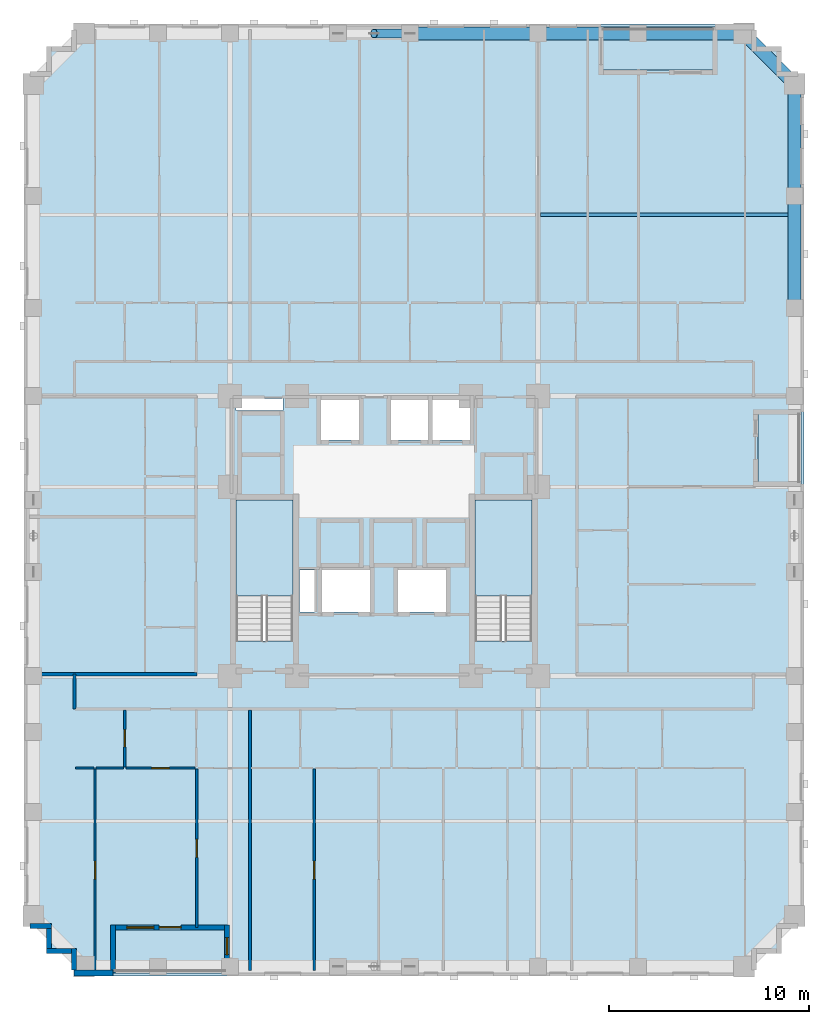
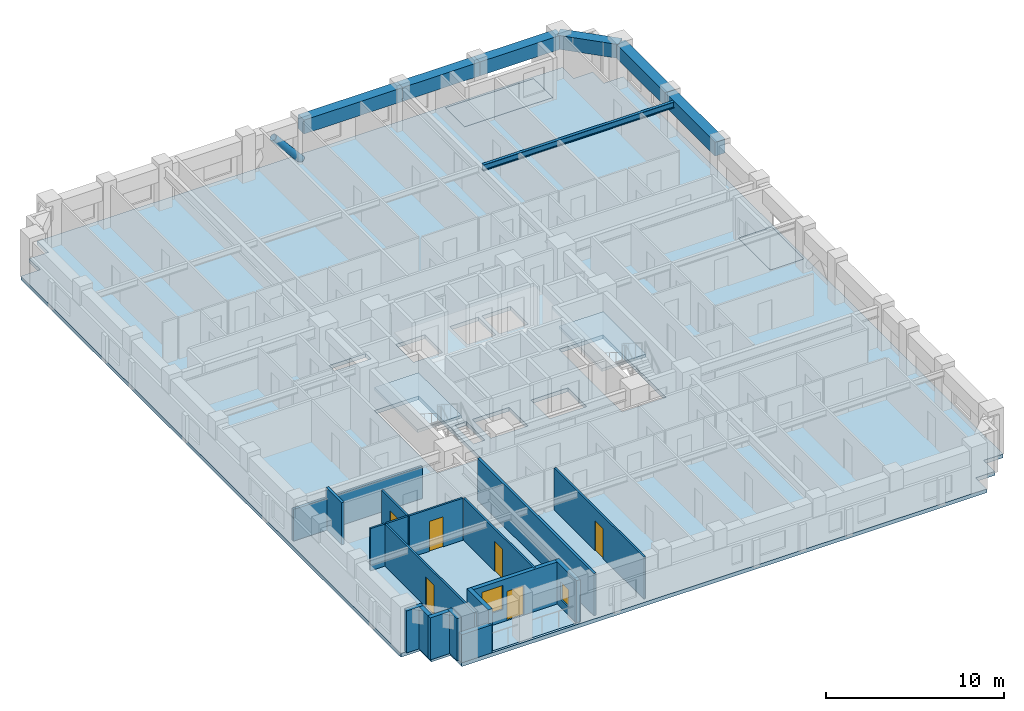
# One storey, part 2 of 14: 18 walls, 7 beams, 6 doors, 6 slabs, 2 windows, 1 member, 8 openings, 2 elements without a shape of their own.
"""IFC4 building model written with IfcOpenShell, lengths in metres."""

import ifcopenshell
import ifcopenshell.guid

model = None  # the IFC model being written
_history = None  # IfcOwnerHistory: only IFC2X3 demands one
_inside = {}  # id of a spatial element -> (the spatial element, [elements in it])
_under = {}  # id of a project, library or spatial element -> (it, [spatial elements below it])
_declared = {}  # id of a project -> (the project, [libraries it declares])
_typed = {}  # id of a type object -> (the type object, [elements of that type])
_made_of = {}  # id of a material, layer set ... -> (it, [elements and type objects made of it])


def new_model(schema):
    """Start an empty IFC model of exactly this schema.

    Asked for "IFC4X3", IfcOpenShell would pick the latest addendum, in which some entities
    have other attributes; the version numbers below select the first issue.
    IFC2X3 requires an IfcOwnerHistory on every rooted entity: one is made here for all.
    """
    global model, _history
    if schema == "IFC4X3":
        model = ifcopenshell.file(schema_version=(4, 3, 0, 0))
    else:
        model = ifcopenshell.file(schema=schema)
    _inside.clear()
    _under.clear()
    _declared.clear()
    _typed.clear()
    _made_of.clear()
    _history = None
    if model.schema == "IFC2X3":
        org = make("IfcOrganization", Name="unknown")
        user = make(
            "IfcPersonAndOrganization",
            ThePerson=make("IfcPerson", FamilyName="unknown"),
            TheOrganization=org,
        )
        app = make(
            "IfcApplication",
            ApplicationDeveloper=org,
            Version="unknown",
            ApplicationFullName="unknown",
            ApplicationIdentifier="unknown",
        )
        _history = make(
            "IfcOwnerHistory",
            OwningUser=user,
            OwningApplication=app,
            ChangeAction="ADDED",
            CreationDate=0,
        )
    return model


def make(cls, **values):
    """One entity of the class cls with the attributes given. An attribute that is None is left unset."""
    return model.create_entity(
        cls, **{name: value for name, value in values.items() if value is not None}
    )


def rooted(cls, **values):
    """An entity with a GlobalId (a new one), such as an element, a storey or a relation."""
    return make(cls, GlobalId=ifcopenshell.guid.new(), OwnerHistory=_history, **values)


def si_unit(unit_type, name, prefix=None):
    """IfcSIUnit, for example si_unit("LENGTHUNIT", "METRE", prefix="MILLI")."""
    return make("IfcSIUnit", UnitType=unit_type, Prefix=prefix, Name=name)


def derived_unit(unit_type, elements):
    """IfcDerivedUnit: a product of units, each with its exponent."""
    return make(
        "IfcDerivedUnit",
        Elements=[
            make("IfcDerivedUnitElement", Unit=unit, Exponent=power)
            for unit, power in elements
        ],
        UnitType=unit_type,
    )


def assignment(units):
    """IfcUnitAssignment: the units of a project."""
    return None if units is None else make("IfcUnitAssignment", Units=units)


def point(xyz):
    """IfcCartesianPoint."""
    return None if xyz is None else make("IfcCartesianPoint", Coordinates=xyz)


def direction(xyz):
    """IfcDirection."""
    return None if xyz is None else make("IfcDirection", DirectionRatios=xyz)


def frame(location, z_axis=None, x_axis=None):
    """IfcAxis2Placement3D, a coordinate frame: its origin and axes. An axis left out is left unset."""
    return make(
        "IfcAxis2Placement3D",
        Location=point(location),
        Axis=direction(z_axis),
        RefDirection=direction(x_axis),
    )


def frame_2d(location, x_axis=None):
    """IfcAxis2Placement2D, a coordinate frame in the plane: its origin and x axis."""
    return make(
        "IfcAxis2Placement2D", Location=point(location), RefDirection=direction(x_axis)
    )


def origin():
    """The frame at (0, 0, 0) with its axes left unset."""
    return frame((0.0, 0.0, 0.0))


def origin_2d():
    """The frame at (0, 0) in the plane with its x axis left unset."""
    return frame_2d((0.0, 0.0))


def place(relative_to, where):
    """IfcLocalPlacement: puts the frame where relative to a parent placement (None: the world)."""
    return make(
        "IfcLocalPlacement", PlacementRelTo=relative_to, RelativePlacement=where
    )


def context(
    kind, dimensions, precision=None, world=None, true_north=None, identifier=None
):
    """IfcGeometricRepresentationContext, for example the 3D "Model" context."""
    return make(
        "IfcGeometricRepresentationContext",
        ContextIdentifier=identifier,
        ContextType=kind,
        CoordinateSpaceDimension=dimensions,
        Precision=precision,
        WorldCoordinateSystem=world,
        TrueNorth=true_north,
    )


def subcontext(parent, identifier, kind, view, scale=None):
    """IfcGeometricRepresentationSubContext, for example "Body" below "Model"."""
    return make(
        "IfcGeometricRepresentationSubContext",
        ContextIdentifier=identifier,
        ContextType=kind,
        ParentContext=parent,
        TargetScale=scale,
        TargetView=view,
    )


def project(units=None, contexts=None):
    """IfcProject with its units and contexts."""
    return rooted(
        "IfcProject",
        Name="project",
        RepresentationContexts=contexts,
        UnitsInContext=assignment(units),
    )


def spatial(cls, under=None, at=None, **own):
    """A site, building, storey or space (cls), placed at a placement, below another one or the project."""
    s = rooted(cls, ObjectPlacement=at, **own)
    if under is not None:
        _under.setdefault(under.id(), (under, []))[1].append(s)
    return s


def polyline(points):
    """IfcPolyline through the points."""
    return make("IfcPolyline", Points=[point(p) for p in points])


def profile(cls, at=None, kind="AREA", **sizes):
    """A parametric profile (cls). Its sizes go by their IFC names, for example OverallWidth=200.0."""
    return make(cls, ProfileType=kind, Position=at, **sizes)


def rectangle(**sizes):
    """IfcRectangleProfileDef."""
    return profile("IfcRectangleProfileDef", **sizes)


def hollow_circle(**sizes):
    """IfcCircleHollowProfileDef."""
    return profile("IfcCircleHollowProfileDef", **sizes)


def i_section(**sizes):
    """IfcIShapeProfileDef."""
    return profile("IfcIShapeProfileDef", **sizes)


def outline(outer, holes=None, kind="AREA"):
    """IfcArbitraryClosedProfileDef: a profile drawn as a closed curve; with holes, ...WithVoids."""
    if holes is None:
        return make("IfcArbitraryClosedProfileDef", ProfileType=kind, OuterCurve=outer)
    return make(
        "IfcArbitraryProfileDefWithVoids",
        ProfileType=kind,
        OuterCurve=outer,
        InnerCurves=holes,
    )


def extrude(swept, where, along, depth):
    """IfcExtrudedAreaSolid: the profile swept, set in the frame where, extruded along a direction by depth."""
    return make(
        "IfcExtrudedAreaSolid",
        SweptArea=swept,
        Position=where,
        ExtrudedDirection=direction(along),
        Depth=depth,
    )


def shape(context_of_items, identifier, shape_type, items):
    """IfcShapeRepresentation: the items that make up one representation, for example the "Body"."""
    return make(
        "IfcShapeRepresentation",
        ContextOfItems=context_of_items,
        RepresentationIdentifier=identifier,
        RepresentationType=shape_type,
        Items=items,
    )


def material(Name=None, Category=None):
    """IfcMaterial."""
    return make("IfcMaterial", Name=Name, Category=Category)


def layer(
    of_material, thickness, ventilated=None, Name=None, Category=None, Priority=None
):
    """IfcMaterialLayer: one layer of a wall or slab, of a material (None: an air gap)."""
    return make(
        "IfcMaterialLayer",
        Material=of_material,
        LayerThickness=thickness,
        IsVentilated=ventilated,
        Name=Name,
        Category=Category,
        Priority=Priority,
    )


def layer_set(layers, Name=None):
    """IfcMaterialLayerSet."""
    return make("IfcMaterialLayerSet", MaterialLayers=layers, LayerSetName=Name)


def material_profile(
    of_material, cross_section, Name=None, Category=None, Priority=None
):
    """IfcMaterialProfile: a cross section and its material."""
    return make(
        "IfcMaterialProfile",
        Name=Name,
        Material=of_material,
        Profile=cross_section,
        Priority=Priority,
        Category=Category,
    )


def profile_set(profiles, Name=None, composite=None):
    """IfcMaterialProfileSet."""
    return make(
        "IfcMaterialProfileSet",
        Name=Name,
        MaterialProfiles=profiles,
        CompositeProfile=composite,
    )


def made_of(thing, what):
    """Note that an element or type object is made of a material, layer set ...; save() writes the relation."""
    if what is not None:
        _made_of.setdefault(what.id(), (what, []))[1].append(thing)
    return thing


def type_object(cls, material=None, **own):
    """A type object (cls), such as IfcWallType, which elements share."""
    return made_of(rooted(cls, **own), material)


def element(
    cls,
    number,
    at=None,
    inside=None,
    cuts=None,
    type_object=None,
    material=None,
    context=None,
    identifier="Body",
    shape_type=None,
    held_by="IfcProductDefinitionShape",
    body=None,
    shapes=None,
    **own,
):
    """One element of the class cls, such as IfcWall. Its Tag is "e" and its number.

    at: its placement. inside: the storey or other place that contains it. cuts: it is an
    opening in that element (IfcRelVoidsElement). A single representation is given by context,
    identifier, shape_type and body (its items); several are given by shapes. held_by: the class
    of the entity that holds the representations. save() writes the other relations.
    """
    e = rooted(cls, Tag="e%d" % number, ObjectPlacement=at, **own)
    if body is not None:
        shapes = [shape(context, identifier, shape_type, body)]
    if shapes is not None:
        e.Representation = make(held_by, Representations=shapes)
    if inside is not None:
        _inside.setdefault(inside.id(), (inside, []))[1].append(e)
    if cuts is not None:
        rooted(
            "IfcRelVoidsElement", RelatingBuildingElement=cuts, RelatedOpeningElement=e
        )
    if type_object is not None:
        _typed.setdefault(type_object.id(), (type_object, []))[1].append(e)
    return made_of(e, material)


def fill(opening, filler):
    """IfcRelFillsElement: the door or window that sits in an opening."""
    return rooted(
        "IfcRelFillsElement",
        RelatingOpeningElement=opening,
        RelatedBuildingElement=filler,
    )


def aggregate(whole, parts):
    """IfcRelAggregates: a whole, such as a stair, and the parts it consists of."""
    return rooted("IfcRelAggregates", RelatingObject=whole, RelatedObjects=parts)


def save(model, path):
    """Write the relations noted so far, then the file.

    IfcRelAggregates (storeys below a building ...), IfcRelContainedInSpatialStructure (elements
    in a storey), IfcRelDefinesByType, IfcRelAssociatesMaterial and IfcRelDeclares: one each for
    every whole, place, type object, material and project.
    """
    for whole, parts in _under.values():
        aggregate(whole, parts)
    for where, things in _inside.values():
        rooted(
            "IfcRelContainedInSpatialStructure",
            RelatedElements=things,
            RelatingStructure=where,
        )
    for kind, things in _typed.values():
        rooted("IfcRelDefinesByType", RelatedObjects=things, RelatingType=kind)
    for what, things in _made_of.values():
        rooted("IfcRelAssociatesMaterial", RelatedObjects=things, RelatingMaterial=what)
    for by, libraries in _declared.values():
        rooted("IfcRelDeclares", RelatingContext=by, RelatedDefinitions=libraries)
    model.write(path)


model = new_model("IFC4")

# Units and contexts
model_context = context("Model", 3, precision=1e-05, world=origin(), true_north=direction((0.0, 1.0)))
body_context = subcontext(model_context, "Body", "Model", "MODEL_VIEW")
ifc_project = project(units=[si_unit("LENGTHUNIT", "METRE"), si_unit("AREAUNIT", "SQUARE_METRE"), si_unit("VOLUMEUNIT", "CUBIC_METRE"), si_unit("PLANEANGLEUNIT", "RADIAN"), si_unit("MASSUNIT", "GRAM", prefix="KILO"), derived_unit("THERMALTRANSMITTANCEUNIT", [(si_unit("MASSUNIT", "GRAM", prefix="KILO"), 1), (si_unit("TIMEUNIT", "SECOND"), -3), (si_unit("THERMODYNAMICTEMPERATUREUNIT", "KELVIN"), -1)])], contexts=[model_context])

# Site, building, storey
site_placement = place(None, origin())
site = spatial("IfcSite", under=ifc_project, at=site_placement, CompositionType="ELEMENT")
building_placement = place(site_placement, origin())
building = spatial("IfcBuilding", under=site, at=building_placement, Name="Korrvale Station Residences", CompositionType="ELEMENT")
storey_placement = place(building_placement, frame((0.0, 0.0, 67.39990234375)))
storey = spatial("IfcBuildingStorey", under=building, at=storey_placement, Name="L18", CompositionType="ELEMENT", Elevation=67.39990234375)

# Beams
ifc_material_1 = material(Name="Steel S355", Category="steel")
ifc_material_profile_1 = material_profile(ifc_material_1, i_section(OverallWidth=0.180908203125, OverallDepth=0.4169921875, WebThickness=0.010986328125, FlangeThickness=0.018310546875, FilletRadius=0.01611328125, at=origin_2d()), Name="W410x85")
ifc_profile_set_1 = profile_set([ifc_material_profile_1], Name="Steel S355")
beam_type_1 = type_object("IfcBeamType", Name="BM-JST-W410x85-S355", PredefinedType="JOIST", material=ifc_profile_set_1)
beam_1_placement = place(storey_placement, frame((33.327880859375, 38.06005859375, 2.671630859375), z_axis=(1.0, 0.0, 0.0), x_axis=(0.0, 1.0, 0.0)))
element("IfcBeam", 1, at=beam_1_placement, inside=storey, type_object=beam_type_1, Name="L18 Floor Framing Joist 06", PredefinedType="JOIST", context=body_context, shape_type="SweptSolid", body=[
    extrude(i_section(OverallWidth=0.180908203125, OverallDepth=0.4169921875, WebThickness=0.010986328125, FlangeThickness=0.018310546875, FilletRadius=0.01611328125, at=origin_2d()), origin(), (0.0, 0.0, 1.0), 12.3671875),
])
ifc_material_2 = material(Name="Concrete C70/85", Category="concrete")
ifc_material_profile_2 = material_profile(ifc_material_2, rectangle(XDim=0.64990234375, YDim=0.949951171875, at=origin_2d()), Name="RCB650x950")
ifc_profile_set_2 = profile_set([ifc_material_profile_2], Name="Concrete C70/85")
beam_type_2 = type_object("IfcBeamType", Name="BM-SPB-RCB650x950-C7085", PredefinedType="SPANDREL", material=ifc_profile_set_2)
beam_2_placement = place(storey_placement, frame((26.800048828125, 47.1201171875, 2.405029296875), z_axis=(1.0, 0.0, 0.0), x_axis=(0.0, 1.0, 0.0)))
element("IfcBeam", 2, at=beam_2_placement, inside=storey, type_object=beam_type_2, Name="L18 North Tube Spandrel 12", PredefinedType="SPANDREL", context=body_context, shape_type="SweptSolid", body=[
    extrude(rectangle(XDim=0.64990234375, YDim=0.949951171875, at=origin_2d()), origin(), (0.0, 0.0, 1.0), 6.39990234375),
])
beam_3_placement = place(storey_placement, frame((33.199951171875, 47.1201171875, 2.405029296875), z_axis=(1.0, 0.0, 0.0), x_axis=(0.0, 1.0, 0.0)))
element("IfcBeam", 3, at=beam_3_placement, inside=storey, type_object=beam_type_2, Name="L18 North Tube Spandrel 13", PredefinedType="SPANDREL", context=body_context, shape_type="SweptSolid", body=[
    extrude(rectangle(XDim=0.64990234375, YDim=0.949951171875, at=origin_2d()), origin(), (0.0, 0.0, 1.0), 5.0),
])
beam_4_placement = place(storey_placement, frame((38.199951171875, 47.1201171875, 2.405029296875), z_axis=(1.0, 0.0, 0.0), x_axis=(0.0, 1.0, 0.0)))
element("IfcBeam", 4, at=beam_4_placement, inside=storey, type_object=beam_type_2, Name="L18 North Tube Spandrel 14", PredefinedType="SPANDREL", context=body_context, shape_type="SweptSolid", body=[
    extrude(rectangle(XDim=0.64990234375, YDim=0.949951171875, at=origin_2d()), origin(), (0.0, 0.0, 1.0), 5.300048828125),
])
for number, where, z_axis, x_axis, name in (
    (5, (46.02001953125, 33.39990234375, 2.405029296875), (0.0, 1.0, 0.0), (-1.0, 0.0, 0.0), "L18 East Tube Spandrel 31"),
    (6, (46.02001953125, 39.0, 2.405029296875), (0.0, 1.0, 0.0), (-1.0, 0.0, 0.0), "L18 East Tube Spandrel 32"),
):
    element("IfcBeam", number, at=place(storey_placement, frame(where, z_axis=z_axis, x_axis=x_axis)), inside=storey, type_object=beam_type_2, Name=name, PredefinedType="SPANDREL", context=body_context, shape_type="SweptSolid", body=[
        extrude(rectangle(XDim=0.64990234375, YDim=0.949951171875, at=origin_2d()), origin(), (0.0, 0.0, 1.0), 5.60009765625),
    ])
beam_5_placement = place(storey_placement, frame((43.5, 47.1201171875, 2.405029296875), z_axis=(0.707106781187, -0.707106781187, 0.0), x_axis=(0.707106781187, 0.707106781187, 0.0)))
element("IfcBeam", 7, at=beam_5_placement, inside=storey, type_object=beam_type_2, Name="L18 Serrated Corner Spandrel 35", PredefinedType="SPANDREL", context=body_context, shape_type="SweptSolid", body=[
    extrude(rectangle(XDim=0.64990234375, YDim=0.949951171875, at=origin_2d()), origin(), (0.0, 0.0, 1.0), 3.56396484375),
])

# Member
ifc_material_profile_3 = material_profile(ifc_material_1, hollow_circle(Radius=0.228515625, WallThickness=0.01904296875, at=origin_2d()), Name="HSS457x19")
ifc_profile_set_3 = profile_set([ifc_material_profile_3], Name="Steel S355")
member_type = type_object("IfcMemberType", Name="MBR-BR-HSS457x19", PredefinedType="BRACE", material=ifc_profile_set_3)
member_placement = place(storey_placement, frame((26.800048828125, 47.1201171875, 0.02001953125), z_axis=(-0.645447644234, 0.0, 0.763804515929), x_axis=(0.0, -1.0, 0.0)))
element("IfcMember", 8, at=member_placement, inside=storey, type_object=member_type, Name="L18 N Perimeter Tube Wind Brace 2", PredefinedType="BRACE", context=body_context, shape_type="SweptSolid", body=[
    extrude(hollow_circle(Radius=0.228515625, WallThickness=0.01904296875, at=origin_2d()), origin(), (0.0, 0.0, 1.0), 2.788818359375),
])

# Slabs
ifc_material_3 = material(Name="Concrete C50/60", Category="concrete")
ifc_layer_1 = layer(ifc_material_3, 0.219970703125, Name="Concrete C50/60")
ifc_layer_set_1 = layer_set([ifc_layer_1], Name="Concrete C50/60")
slab_type_1 = type_object("IfcSlabType", Name="SLB-BAL-220", PredefinedType="FLOOR", material=ifc_layer_set_1)
slab_1_placement = place(storey_placement, frame((0.0, 0.0, -0.219970703125)))
element("IfcSlab", 9, at=slab_1_placement, inside=storey, type_object=slab_type_1, Name="L18 Recessed Loggia Balcony Slab BAL-L18-S1", PredefinedType="FLOOR", context=body_context, shape_type="SweptSolid", body=[
    extrude(outline(polyline([(11.949951171875, 0.14990234375), (17.64990234375, 0.14990234375), (17.64990234375, 2.300048828125), (11.949951171875, 2.300048828125), (11.949951171875, 0.14990234375)])), origin(), (0.0, 0.0, 1.0), 0.219970703125),
])
slab_2_placement = place(storey_placement, frame((0.0, 0.0, -0.219970703125)))
element("IfcSlab", 10, at=slab_2_placement, inside=storey, type_object=slab_type_1, Name="L18 Recessed Loggia Balcony Slab BAL-L18-N1", PredefinedType="FLOOR", context=body_context, shape_type="SweptSolid", body=[
    extrude(outline(polyline([(36.35009765625, 45.300048828125), (42.050048828125, 45.300048828125), (42.050048828125, 47.449951171875), (36.35009765625, 47.449951171875), (36.35009765625, 45.300048828125)])), origin(), (0.0, 0.0, 1.0), 0.219970703125),
])
slab_3_placement = place(storey_placement, frame((0.0, 0.0, -0.219970703125)))
element("IfcSlab", 11, at=slab_3_placement, inside=storey, type_object=slab_type_1, Name="L18 Recessed Loggia Balcony Slab BAL-L18-E1", PredefinedType="FLOOR", context=body_context, shape_type="SweptSolid", body=[
    extrude(outline(polyline([(44.199951171875, 24.60009765625), (46.35009765625, 24.60009765625), (46.35009765625, 28.199951171875), (44.199951171875, 28.199951171875), (44.199951171875, 24.60009765625)])), origin(), (0.0, 0.0, 1.0), 0.219970703125),
])
ifc_layer_2 = layer(ifc_material_3, 0.260009765625, Name="Concrete C50/60")
ifc_layer_set_2 = layer_set([ifc_layer_2], Name="Concrete C50/60")
slab_type_2 = type_object("IfcSlabType", Name="SLB-FLR-260", PredefinedType="FLOOR", material=ifc_layer_set_2)
slab_4_placement = place(storey_placement, frame((0.0, 0.0, -0.260009765625)))
element("IfcSlab", 12, at=slab_4_placement, inside=storey, type_object=slab_type_2, Name="L18 Suspended Structural Floor Slab", PredefinedType="FLOOR", context=body_context, shape_type="SweptSolid", body=[
    extrude(outline(polyline([(10.0, 0.0), (44.0, 0.0), (44.0, 1.25), (45.25, 1.25), (45.25, 2.5), (46.5, 2.5), (46.5, 45.10009765625), (45.25, 45.10009765625), (45.25, 46.35009765625), (44.0, 46.35009765625), (44.0, 47.60009765625), (10.0, 47.60009765625), (10.0, 46.35009765625), (8.75, 46.35009765625), (8.75, 45.10009765625), (7.5, 45.10009765625), (7.5, 2.5), (8.75, 2.5), (8.75, 1.25), (10.0, 1.25), (10.0, 0.0)]), holes=[polyline([(20.949951171875, 16.751953125), (20.949951171875, 23.800048828125), (18.10009765625, 23.800048828125), (18.10009765625, 16.751953125), (20.949951171875, 16.751953125)]), polyline([(32.89990234375, 16.751953125), (32.89990234375, 23.800048828125), (30.050048828125, 23.800048828125), (30.050048828125, 16.751953125), (32.89990234375, 16.751953125)]), polyline([(22.35009765625, 26.800048828125), (24.25, 26.800048828125), (24.25, 28.800048828125), (22.35009765625, 28.800048828125), (22.35009765625, 26.800048828125)]), polyline([(25.85009765625, 26.800048828125), (27.7099609375, 26.800048828125), (27.7099609375, 28.800048828125), (25.85009765625, 28.800048828125), (25.85009765625, 26.800048828125)]), polyline([(27.929931640625, 26.800048828125), (29.7900390625, 26.800048828125), (29.7900390625, 28.800048828125), (27.929931640625, 28.800048828125), (27.929931640625, 26.800048828125)]), polyline([(22.39990234375, 18.199951171875), (24.800048828125, 18.199951171875), (24.800048828125, 20.300048828125), (22.39990234375, 20.300048828125), (22.39990234375, 18.199951171875)]), polyline([(26.199951171875, 18.199951171875), (28.60009765625, 18.199951171875), (28.60009765625, 20.300048828125), (26.199951171875, 20.300048828125), (26.199951171875, 18.199951171875)]), polyline([(18.10009765625, 28.280029296875), (20.449951171875, 28.280029296875), (20.449951171875, 28.8798828125), (18.10009765625, 28.8798828125), (18.10009765625, 28.280029296875)]), polyline([(21.280029296875, 18.199951171875), (22.02001953125, 18.199951171875), (22.02001953125, 20.300048828125), (21.280029296875, 20.300048828125), (21.280029296875, 18.199951171875)]), polyline([(11.949951171875, 0.14990234375), (17.64990234375, 0.14990234375), (17.64990234375, 2.300048828125), (11.949951171875, 2.300048828125), (11.949951171875, 0.14990234375)]), polyline([(36.35009765625, 45.300048828125), (42.050048828125, 45.300048828125), (42.050048828125, 47.449951171875), (36.35009765625, 47.449951171875), (36.35009765625, 45.300048828125)]), polyline([(44.199951171875, 24.60009765625), (46.35009765625, 24.60009765625), (46.35009765625, 28.199951171875), (44.199951171875, 28.199951171875), (44.199951171875, 24.60009765625)])]), origin(), (0.0, 0.0, 1.0), 0.260009765625),
])

# Stair, slab
stair_type = type_object("IfcStairType", Name="STR-DL-1350-18R-1778", PredefinedType="HALF_TURN_STAIR", material=ifc_material_3)
stair_1_placement = place(storey_placement, origin())
stair_1 = element("IfcStair", 13, at=stair_1_placement, inside=storey, type_object=stair_type, Name="L18 Exit Stair 1", PredefinedType="HALF_TURN_STAIR")
ifc_layer_3 = layer(ifc_material_3, 0.199951171875, Name="Concrete C50/60")
ifc_layer_set_3 = layer_set([ifc_layer_3], Name="Concrete C50/60")
slab_type_3 = type_object("IfcSlabType", Name="SLB-LND-200", PredefinedType="LANDING", material=ifc_layer_set_3)
slab_5_placement = place(storey_placement, frame((0.0, 0.0, 1.400146484375)))
slab_5 = element("IfcSlab", 14, at=slab_5_placement, type_object=slab_type_3, Name="ST-1 landing 1", PredefinedType="LANDING", context=body_context, shape_type="SweptSolid", body=[
    extrude(outline(polyline([(20.949951171875, 18.989990234375), (20.949951171875, 23.800048828125), (18.10009765625, 23.800048828125), (18.10009765625, 18.989990234375), (20.949951171875, 18.989990234375)])), origin(), (0.0, 0.0, 1.0), 0.199951171875),
])
aggregate(stair_1, [slab_5])

stair_2_placement = place(storey_placement, origin())
stair_2 = element("IfcStair", 15, at=stair_2_placement, inside=storey, type_object=stair_type, Name="L18 Exit Stair 2", PredefinedType="HALF_TURN_STAIR")
slab_6_placement = place(storey_placement, frame((0.0, 0.0, 1.400146484375)))
slab_6 = element("IfcSlab", 16, at=slab_6_placement, type_object=slab_type_3, Name="ST-2 landing 1", PredefinedType="LANDING", context=body_context, shape_type="SweptSolid", body=[
    extrude(outline(polyline([(32.89990234375, 18.989990234375), (32.89990234375, 23.800048828125), (30.050048828125, 23.800048828125), (30.050048828125, 18.989990234375), (32.89990234375, 18.989990234375)])), origin(), (0.0, 0.0, 1.0), 0.199951171875),
])
aggregate(stair_2, [slab_6])

# Wall, opening, window
ifc_material_4 = material(Name="Precast concrete C45/55", Category="concrete")
ifc_layer_4 = layer(ifc_material_4, 0.260009765625, Name="Precast concrete C45/55")
ifc_layer_set_4 = layer_set([ifc_layer_4], Name="Precast concrete C45/55")
wall_type_1 = type_object("IfcWallType", Name="WAL-EXT-LOG260", PredefinedType="SOLIDWALL", material=ifc_layer_set_4)
wall_1_placement = place(storey_placement, frame((17.64990234375, 0.159912109375, 0.0), z_axis=(0.0, 0.0, 1.0), x_axis=(0.0, 1.0, 0.0)))
wall_1 = element("IfcWall", 17, at=wall_1_placement, inside=storey, type_object=wall_type_1, Name="L18 Recessed Loggia Wall BAL-L18-S1-L", PredefinedType="SOLIDWALL", context=body_context, shape_type="SweptSolid", body=[
    extrude(rectangle(XDim=2.400146484375, YDim=0.260009765625, at=frame_2d((1.2001953125, 0.0))), origin(), (0.0, 0.0, 1.0), 2.880126953125),
])
opening_1_placement = place(wall_1_placement, frame((0.905029296875, 0.0, 0.550048828125)))
opening_1 = element("IfcOpeningElement", 18, at=opening_1_placement, cuts=wall_1, Name="Opening W-11", PredefinedType="OPENING", context=body_context, shape_type="SweptSolid", body=[
    extrude(rectangle(XDim=0.85009765625, YDim=1.199951171875, at=frame_2d((0.425048828125, 0.60009765625))), frame((0.0, 0.14013671875, 0.0), z_axis=(0.0, -1.0, 0.0), x_axis=(1.0, 0.0, 0.0)), (0.0, 0.0, 1.0), 0.280029296875),
])
ifc_material_5 = material(Name="Thermally broken aluminium frame with triple low-e glazing", Category="aluminium")
window_type_1 = type_object("IfcWindowType", Name="WIN-W11", PartitioningType="SINGLE_PANEL", PredefinedType="WINDOW", material=ifc_material_5)
window_1_placement = place(opening_1_placement, origin())
window_1 = element("IfcWindow", 19, at=window_1_placement, inside=storey, type_object=window_type_1, Name="L18 Punched Window 04", OverallHeight=1.199951171875, OverallWidth=0.85009765625, PartitioningType="SINGLE_PANEL", PredefinedType="WINDOW", context=body_context, shape_type="SweptSolid", body=[
    extrude(rectangle(XDim=0.85009765625, YDim=1.199951171875, at=frame_2d((0.425048828125, 0.60009765625))), frame((0.0, 0.030029296875, 0.0), z_axis=(0.0, -1.0, 0.0), x_axis=(1.0, 0.0, 0.0)), (0.0, 0.0, 1.0), 0.06005859375),
])
fill(opening_1, window_1)

# Wall, openings, door, window
wall_2_placement = place(storey_placement, frame((17.51611328125, 2.429931640625, 0.0), z_axis=(0.0, 0.0, 1.0), x_axis=(-1.0, 0.0, 0.0)))
wall_2 = element("IfcWall", 20, at=wall_2_placement, inside=storey, type_object=wall_type_1, Name="L18 Recessed Loggia Wall BAL-L18-S1-B", PredefinedType="SOLIDWALL", context=body_context, shape_type="SweptSolid", body=[
    extrude(rectangle(XDim=5.43212890625, YDim=0.260009765625, at=frame_2d((2.716064453125, 0.0))), origin(), (0.0, 0.0, 1.0), 2.880126953125),
])
opening_2_placement = place(wall_2_placement, frame((2.166015625, 0.0, 0.0)))
opening_2 = element("IfcOpeningElement", 21, at=opening_2_placement, cuts=wall_2, Name="Opening BD-01", PredefinedType="OPENING", context=body_context, shape_type="SweptSolid", body=[
    extrude(rectangle(XDim=1.10009765625, YDim=2.0, at=frame_2d((0.550048828125, 1.0))), frame((0.0, 0.14013671875, 0.0), z_axis=(0.0, -1.0, 0.0), x_axis=(1.0, 0.0, 0.0)), (0.0, 0.0, 1.0), 0.280029296875),
])
opening_3_placement = place(wall_2_placement, frame((3.52587890625, 0.0, 0.85009765625)))
opening_3 = element("IfcOpeningElement", 22, at=opening_3_placement, cuts=wall_2, Name="Opening W-06", PredefinedType="OPENING", context=body_context, shape_type="SweptSolid", body=[
    extrude(rectangle(XDim=1.35009765625, YDim=1.64990234375, at=frame_2d((0.675048828125, 0.824951171875))), frame((0.0, 0.14013671875, 0.0), z_axis=(0.0, -1.0, 0.0), x_axis=(1.0, 0.0, 0.0)), (0.0, 0.0, 1.0), 0.280029296875),
])
ifc_material_6 = material(Name="Exterior thermally broken aluminium glazed balcony door", Category="aluminium")
door_type_1 = type_object("IfcDoorType", Name="DR-EXT-BAL", OperationType="NOTDEFINED", PredefinedType="DOOR", material=ifc_material_6)
door_1_placement = place(opening_2_placement, origin())
door_1 = element("IfcDoor", 23, at=door_1_placement, inside=storey, type_object=door_type_1, Name="L18 Loggia Balcony Door BAL-L18-S1", OperationType="SINGLE_SWING_LEFT", OverallHeight=2.0, OverallWidth=1.10009765625, PredefinedType="DOOR", context=body_context, shape_type="SweptSolid", body=[
    extrude(rectangle(XDim=1.10009765625, YDim=2.0, at=frame_2d((0.550048828125, 1.0))), frame((0.0, 0.02490234375, 0.0), z_axis=(0.0, -1.0, 0.0), x_axis=(1.0, 0.0, 0.0)), (0.0, 0.0, 1.0), 0.050048828125),
])
fill(opening_2, door_1)
window_type_2 = type_object("IfcWindowType", Name="WIN-W06", PartitioningType="SINGLE_PANEL", PredefinedType="WINDOW", material=ifc_material_5)
window_2_placement = place(opening_3_placement, origin())
window_2 = element("IfcWindow", 24, at=window_2_placement, inside=storey, type_object=window_type_2, Name="L18 Punched Window 03", OverallHeight=1.64990234375, OverallWidth=1.35009765625, PartitioningType="SINGLE_PANEL", PredefinedType="WINDOW", context=body_context, shape_type="SweptSolid", body=[
    extrude(rectangle(XDim=1.35009765625, YDim=1.64990234375, at=frame_2d((0.675048828125, 0.824951171875))), frame((0.0, 0.030029296875, 0.0), z_axis=(0.0, -1.0, 0.0), x_axis=(1.0, 0.0, 0.0)), (0.0, 0.0, 1.0), 0.06005859375),
])
fill(opening_3, window_2)

# Walls
wall_3_placement = place(storey_placement, frame((11.949951171875, 2.56005859375, 0.0), z_axis=(0.0, 0.0, 1.0), x_axis=(0.0, -1.0, 0.0)))
element("IfcWall", 25, at=wall_3_placement, inside=storey, type_object=wall_type_1, Name="L18 Recessed Loggia Wall BAL-L18-S1-R", PredefinedType="SOLIDWALL", context=body_context, shape_type="SweptSolid", body=[
    extrude(rectangle(XDim=2.400146484375, YDim=0.260009765625, at=frame_2d((1.2001953125, 0.0))), origin(), (0.0, 0.0, 1.0), 2.880126953125),
])
wall_4_placement = place(storey_placement, frame((10.0, 0.302001953125, 0.0), z_axis=(0.0, 0.0, 1.0), x_axis=(0.0, 1.0, 0.0)))
element("IfcWall", 26, at=wall_4_placement, inside=storey, type_object=wall_type_1, Name="L18 Serrated Corner Precast Step SW-1", PredefinedType="SOLIDWALL", context=body_context, shape_type="SweptSolid", body=[
    extrude(rectangle(XDim=1.077880859375, YDim=0.260009765625, at=frame_2d((0.5390625, 0.0))), origin(), (0.0, 0.0, 1.0), 2.880126953125),
])
wall_5_placement = place(storey_placement, frame((9.867919921875, 1.25, 0.0), z_axis=(0.0, 0.0, 1.0), x_axis=(-1.0, 0.0, 0.0)))
element("IfcWall", 27, at=wall_5_placement, inside=storey, type_object=wall_type_1, Name="L18 Serrated Corner Precast Step SW-2", PredefinedType="SOLIDWALL", context=body_context, shape_type="SweptSolid", body=[
    extrude(rectangle(XDim=1.247802734375, YDim=0.260009765625, at=frame_2d((0.6240234375, 0.0))), origin(), (0.0, 0.0, 1.0), 2.880126953125),
])
wall_6_placement = place(storey_placement, frame((8.75, 1.382080078125, 0.0), z_axis=(0.0, 0.0, 1.0), x_axis=(0.0, 1.0, 0.0)))
element("IfcWall", 28, at=wall_6_placement, inside=storey, type_object=wall_type_1, Name="L18 Serrated Corner Precast Step SW-3", PredefinedType="SOLIDWALL", context=body_context, shape_type="SweptSolid", body=[
    extrude(rectangle(XDim=0.98583984375, YDim=0.260009765625, at=frame_2d((0.492919921875, 0.0))), origin(), (0.0, 0.0, 1.0), 2.880126953125),
])
wall_7_placement = place(storey_placement, frame((8.8798828125, 2.5, 0.0), z_axis=(0.0, 0.0, 1.0), x_axis=(-1.0, 0.0, 0.0)))
element("IfcWall", 29, at=wall_7_placement, inside=storey, type_object=wall_type_1, Name="L18 Serrated Corner Precast Step SW-4", PredefinedType="SOLIDWALL", context=body_context, shape_type="SweptSolid", body=[
    extrude(rectangle(XDim=1.077880859375, YDim=0.260009765625, at=frame_2d((0.5390625, 0.0))), origin(), (0.0, 0.0, 1.0), 2.880126953125),
])
ifc_layer_5 = layer(ifc_material_4, 0.300048828125, Name="Precast concrete C45/55")
ifc_layer_set_5 = layer_set([ifc_layer_5], Name="Precast concrete C45/55")
wall_type_2 = type_object("IfcWallType", Name="WAL-EXT-PC300", PredefinedType="SOLIDWALL", material=ifc_layer_set_5)
wall_8_placement = place(storey_placement, frame((11.949951171875, 0.14990234375, 0.0), z_axis=(0.0, 0.0, 1.0), x_axis=(-1.0, 0.0, 0.0)))
element("IfcWall", 30, at=wall_8_placement, inside=storey, type_object=wall_type_2, Name="L18 South Exterior Precast Wall 2", PredefinedType="SOLIDWALL", context=body_context, shape_type="SweptSolid", body=[
    extrude(rectangle(XDim=1.949951171875, YDim=0.300048828125, at=frame_2d((0.97509765625, 0.0))), origin(), (0.0, 0.0, 1.0), 1.9150390625),
])

# Wall, opening, door
ifc_material_7 = material(Name="Acoustic steel-stud gypsum board partition", Category="steel")
ifc_layer_6 = layer(ifc_material_7, 0.1201171875, Name="Acoustic steel-stud gypsum board partition")
ifc_layer_set_6 = layer_set([ifc_layer_6], Name="Acoustic steel-stud gypsum board partition")
wall_type_3 = type_object("IfcWallType", Name="WAL-PART-125", PredefinedType="PARTITIONING", material=ifc_layer_set_6)
wall_9_placement = place(storey_placement, frame((12.5400390625, 10.4599609375, 0.0), z_axis=(0.0, 0.0, 1.0), x_axis=(0.0, 1.0, 0.0)))
wall_9 = element("IfcWall", 31, at=wall_9_placement, inside=storey, type_object=wall_type_3, Name="L18 Suite Partition U01-V01", PredefinedType="PARTITIONING", context=body_context, shape_type="SweptSolid", body=[
    extrude(rectangle(XDim=2.85009765625, YDim=0.1201171875, at=frame_2d((1.425048828125, 0.0))), origin(), (0.0, 0.0, 1.0), 2.880126953125),
])
opening_4_placement = place(wall_9_placement, frame((0.9951171875, 0.0, 0.0)))
opening_4 = element("IfcOpeningElement", 32, at=opening_4_placement, cuts=wall_9, Name="Opening DB-860", PredefinedType="OPENING", context=body_context, shape_type="SweptSolid", body=[
    extrude(rectangle(XDim=0.860107421875, YDim=2.050048828125, at=frame_2d((0.43017578125, 1.02490234375))), frame((0.0, 0.070068359375, 0.0), z_axis=(0.0, -1.0, 0.0), x_axis=(1.0, 0.0, 0.0)), (0.0, 0.0, 1.0), 0.14013671875),
])
ifc_material_8 = material(Name="Moisture-resistant solid-core bathroom door", Category="timber")
door_type_2 = type_object("IfcDoorType", Name="DR-BATH-860", OperationType="NOTDEFINED", PredefinedType="DOOR", material=ifc_material_8)
door_2_placement = place(opening_4_placement, origin())
door_2 = element("IfcDoor", 33, at=door_2_placement, inside=storey, type_object=door_type_2, Name="L18 Studio Apartment L18-U01 Bathroom Door", OperationType="SINGLE_SWING_LEFT", OverallHeight=2.050048828125, OverallWidth=0.860107421875, PredefinedType="DOOR", context=body_context, shape_type="SweptSolid", body=[
    extrude(rectangle(XDim=0.860107421875, YDim=2.050048828125, at=frame_2d((0.43017578125, 1.02490234375))), frame((0.0, 0.02490234375, 0.0), z_axis=(0.0, -1.0, 0.0), x_axis=(1.0, 0.0, 0.0)), (0.0, 0.0, 1.0), 0.050048828125),
])
fill(opening_4, door_2)

# Walls
wall_10_placement = place(storey_placement, frame((10.080078125, 10.39990234375, 0.0), z_axis=(0.0, 0.0, 1.0), x_axis=(1.0, 0.0, 0.0)))
element("IfcWall", 34, at=wall_10_placement, inside=storey, type_object=wall_type_3, Name="L18 Suite Partition U01-H03", PredefinedType="PARTITIONING", context=body_context, shape_type="SweptSolid", body=[
    extrude(rectangle(XDim=0.909912109375, YDim=0.1201171875, at=frame_2d((0.455078125, 0.0))), origin(), (0.0, 0.0, 1.0), 2.880126953125),
])
wall_11_placement = place(storey_placement, frame((11.110107421875, 10.39990234375, 0.0), z_axis=(0.0, 0.0, 1.0), x_axis=(1.0, 0.0, 0.0)))
element("IfcWall", 35, at=wall_11_placement, inside=storey, type_object=wall_type_3, Name="L18 Suite Partition U01-H04", PredefinedType="PARTITIONING", context=body_context, shape_type="SweptSolid", body=[
    extrude(rectangle(XDim=1.369873046875, YDim=0.1201171875, at=frame_2d((0.68505859375, 0.0))), origin(), (0.0, 0.0, 1.0), 2.880126953125),
])

# Wall, opening, door
wall_12_placement = place(storey_placement, frame((12.60009765625, 10.39990234375, 0.0), z_axis=(0.0, 0.0, 1.0), x_axis=(1.0, 0.0, 0.0)))
wall_12 = element("IfcWall", 36, at=wall_12_placement, inside=storey, type_object=wall_type_3, Name="L18 Suite Partition U01-H14", PredefinedType="PARTITIONING", context=body_context, shape_type="SweptSolid", body=[
    extrude(rectangle(XDim=3.449951171875, YDim=0.1201171875, at=frame_2d((1.72509765625, 0.0))), origin(), (0.0, 0.0, 1.0), 2.880126953125),
])
opening_5_placement = place(wall_12_placement, frame((1.27490234375, 0.0, 0.0)))
opening_5 = element("IfcOpeningElement", 37, at=opening_5_placement, cuts=wall_12, Name="Opening DI-900", PredefinedType="OPENING", context=body_context, shape_type="SweptSolid", body=[
    extrude(rectangle(XDim=0.89990234375, YDim=2.050048828125, at=frame_2d((0.449951171875, 1.02490234375))), frame((0.0, 0.070068359375, 0.0), z_axis=(0.0, -1.0, 0.0), x_axis=(1.0, 0.0, 0.0)), (0.0, 0.0, 1.0), 0.14013671875),
])
ifc_material_9 = material(Name="Painted solid-core timber interior room door", Category="wood")
door_type_3 = type_object("IfcDoorType", Name="DR-INT-900", OperationType="NOTDEFINED", PredefinedType="DOOR", material=ifc_material_9)
door_3_placement = place(opening_5_placement, origin())
door_3 = element("IfcDoor", 38, at=door_3_placement, inside=storey, type_object=door_type_3, Name="L18 Studio Apartment L18-U01 Kitchen Door", OperationType="SINGLE_SWING_LEFT", OverallHeight=2.050048828125, OverallWidth=0.89990234375, PredefinedType="DOOR", context=body_context, shape_type="SweptSolid", body=[
    extrude(rectangle(XDim=0.89990234375, YDim=2.050048828125, at=frame_2d((0.449951171875, 1.02490234375))), frame((0.0, 0.02490234375, 0.0), z_axis=(0.0, -1.0, 0.0), x_axis=(1.0, 0.0, 0.0)), (0.0, 0.0, 1.0), 0.050048828125),
])
fill(opening_5, door_3)

wall_13_placement = place(storey_placement, frame((11.050048828125, 0.280029296875, 0.0), z_axis=(0.0, 0.0, 1.0), x_axis=(0.0, 1.0, 0.0)))
wall_13 = element("IfcWall", 39, at=wall_13_placement, inside=storey, type_object=wall_type_3, Name="L18 Suite Partition U01-V34", PredefinedType="PARTITIONING", context=body_context, shape_type="SweptSolid", body=[
    extrude(rectangle(XDim=10.06005859375, YDim=0.1201171875, at=frame_2d((5.030029296875, 0.0))), origin(), (0.0, 0.0, 1.0), 2.880126953125),
])
opening_6_placement = place(wall_13_placement, frame((4.56494140625, 0.0, 0.0)))
opening_6 = element("IfcOpeningElement", 40, at=opening_6_placement, cuts=wall_13, Name="Opening DI-900", PredefinedType="OPENING", context=body_context, shape_type="SweptSolid", body=[
    extrude(rectangle(XDim=0.89990234375, YDim=2.050048828125, at=frame_2d((0.449951171875, 1.02490234375))), frame((0.0, 0.070068359375, 0.0), z_axis=(0.0, -1.0, 0.0), x_axis=(1.0, 0.0, 0.0)), (0.0, 0.0, 1.0), 0.14013671875),
])
door_4_placement = place(opening_6_placement, origin())
door_4 = element("IfcDoor", 41, at=door_4_placement, inside=storey, type_object=door_type_3, Name="L18 Studio Apartment L18-U01 Walk-In Wardrobe Door", OperationType="SINGLE_SWING_LEFT", OverallHeight=2.050048828125, OverallWidth=0.89990234375, PredefinedType="DOOR", context=body_context, shape_type="SweptSolid", body=[
    extrude(rectangle(XDim=0.89990234375, YDim=2.050048828125, at=frame_2d((0.449951171875, 1.02490234375))), frame((0.0, 0.02490234375, 0.0), z_axis=(0.0, -1.0, 0.0), x_axis=(1.0, 0.0, 0.0)), (0.0, 0.0, 1.0), 0.050048828125),
])
fill(opening_6, door_4)

wall_14_placement = place(storey_placement, frame((16.135986328125, 2.429931640625, 0.0), z_axis=(0.0, 0.0, 1.0), x_axis=(0.0, 1.0, 0.0)))
wall_14 = element("IfcWall", 42, at=wall_14_placement, inside=storey, type_object=wall_type_3, Name="L18 Suite Partition U01-V45", PredefinedType="PARTITIONING", context=body_context, shape_type="SweptSolid", body=[
    extrude(rectangle(XDim=7.91015625, YDim=0.1201171875, at=frame_2d((3.955078125, 0.0))), origin(), (0.0, 0.0, 1.0), 2.880126953125),
])
opening_7_placement = place(wall_14_placement, frame((3.5048828125, 0.0, 0.0)))
opening_7 = element("IfcOpeningElement", 43, at=opening_7_placement, cuts=wall_14, Name="Opening DI-900", PredefinedType="OPENING", context=body_context, shape_type="SweptSolid", body=[
    extrude(rectangle(XDim=0.89990234375, YDim=2.050048828125, at=frame_2d((0.449951171875, 1.02490234375))), frame((0.0, 0.070068359375, 0.0), z_axis=(0.0, -1.0, 0.0), x_axis=(1.0, 0.0, 0.0)), (0.0, 0.0, 1.0), 0.14013671875),
])
door_5_placement = place(opening_7_placement, origin())
door_5 = element("IfcDoor", 44, at=door_5_placement, inside=storey, type_object=door_type_3, Name="L18 Studio Apartment L18-U01 Studio Living Room Door", OperationType="SINGLE_SWING_RIGHT", OverallHeight=2.050048828125, OverallWidth=0.89990234375, PredefinedType="DOOR", context=body_context, shape_type="SweptSolid", body=[
    extrude(rectangle(XDim=0.89990234375, YDim=2.050048828125, at=frame_2d((0.449951171875, 1.02490234375))), frame((0.0, 0.02490234375, 0.0), z_axis=(0.0, -1.0, 0.0), x_axis=(1.0, 0.0, 0.0)), (0.0, 0.0, 1.0), 0.050048828125),
])
fill(opening_7, door_5)

wall_15_placement = place(storey_placement, frame((22.01611328125, 0.280029296875, 0.0), z_axis=(0.0, 0.0, 1.0), x_axis=(0.0, 1.0, 0.0)))
wall_15 = element("IfcWall", 45, at=wall_15_placement, inside=storey, type_object=wall_type_3, Name="L18 Suite Partition U02-V78", PredefinedType="PARTITIONING", context=body_context, shape_type="SweptSolid", body=[
    extrude(rectangle(XDim=10.06005859375, YDim=0.1201171875, at=frame_2d((5.030029296875, 0.0))), origin(), (0.0, 0.0, 1.0), 2.880126953125),
])
opening_8_placement = place(wall_15_placement, frame((4.56494140625, 0.0, 0.0)))
opening_8 = element("IfcOpeningElement", 46, at=opening_8_placement, cuts=wall_15, Name="Opening DI-900", PredefinedType="OPENING", context=body_context, shape_type="SweptSolid", body=[
    extrude(rectangle(XDim=0.89990234375, YDim=2.050048828125, at=frame_2d((0.449951171875, 1.02490234375))), frame((0.0, 0.070068359375, 0.0), z_axis=(0.0, -1.0, 0.0), x_axis=(1.0, 0.0, 0.0)), (0.0, 0.0, 1.0), 0.14013671875),
])
door_6_placement = place(opening_8_placement, origin())
door_6 = element("IfcDoor", 47, at=door_6_placement, inside=storey, type_object=door_type_3, Name="L18 Studio Apartment L18-U02 Formal Dining Room Door", OperationType="SINGLE_SWING_RIGHT", OverallHeight=2.050048828125, OverallWidth=0.89990234375, PredefinedType="DOOR", context=body_context, shape_type="SweptSolid", body=[
    extrude(rectangle(XDim=0.89990234375, YDim=2.050048828125, at=frame_2d((0.449951171875, 1.02490234375))), frame((0.0, 0.02490234375, 0.0), z_axis=(0.0, -1.0, 0.0), x_axis=(1.0, 0.0, 0.0)), (0.0, 0.0, 1.0), 0.050048828125),
])
fill(opening_8, door_6)

# Walls
ifc_material_10 = material(Name="Fire-rated twin-stud gypsum and mineral wool shaftwall assembly", Category="gypsum")
ifc_layer_7 = layer(ifc_material_10, 0.159912109375, Name="Fire-rated twin-stud gypsum and mineral wool shaftwall assembly")
ifc_layer_set_7 = layer_set([ifc_layer_7], Name="Fire-rated twin-stud gypsum and mineral wool shaftwall assembly")
wall_type_4 = type_object("IfcWallType", Name="WAL-PART-200", PredefinedType="PARTITIONING", material=ifc_layer_set_7)
wall_16_placement = place(storey_placement, frame((10.02001953125, 13.35009765625, 0.0), z_axis=(0.0, 0.0, 1.0), x_axis=(0.0, 1.0, 0.0)))
element("IfcWall", 48, at=wall_16_placement, inside=storey, type_object=wall_type_4, Name="L18 Corridor South West Cap", PredefinedType="PARTITIONING", context=body_context, shape_type="SweptSolid", body=[
    extrude(rectangle(XDim=1.739990234375, YDim=0.159912109375, at=frame_2d((0.8701171875, 0.0))), origin(), (0.0, 0.0, 1.0), 2.880126953125),
])
wall_17_placement = place(storey_placement, frame((7.780029296875, 15.090087890625, 0.0), z_axis=(0.0, 0.0, 1.0), x_axis=(1.0, 0.0, 0.0)))
element("IfcWall", 49, at=wall_17_placement, inside=storey, type_object=wall_type_4, Name="L18 West Wing South Corridor Wall", PredefinedType="PARTITIONING", context=body_context, shape_type="SweptSolid", body=[
    extrude(rectangle(XDim=8.35986328125, YDim=0.159912109375, at=frame_2d((4.179931640625, 0.0))), origin(), (0.0, 0.0, 1.0), 2.172119140625),
])
wall_18_placement = place(storey_placement, frame((18.7958984375, 0.280029296875, 0.0), z_axis=(0.0, 0.0, 1.0), x_axis=(0.0, 1.0, 0.0)))
element("IfcWall", 50, at=wall_18_placement, inside=storey, type_object=wall_type_4, Name="L18 Demising Wall U02-W", PredefinedType="PARTITIONING", context=body_context, shape_type="SweptSolid", body=[
    extrude(rectangle(XDim=13.030029296875, YDim=0.159912109375, at=frame_2d((6.51513671875, 0.0))), origin(), (0.0, 0.0, 1.0), 2.880126953125),
])

save(model, "model.ifc")
